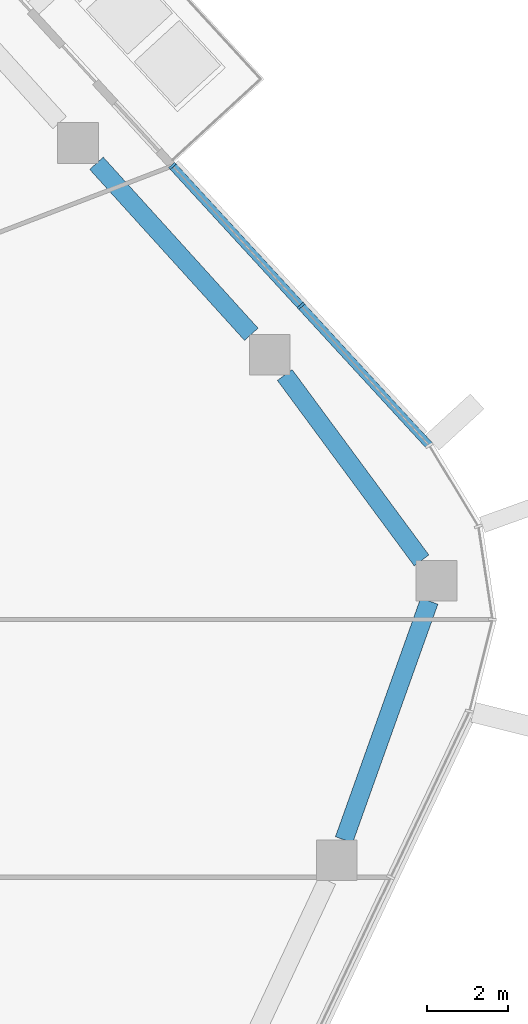
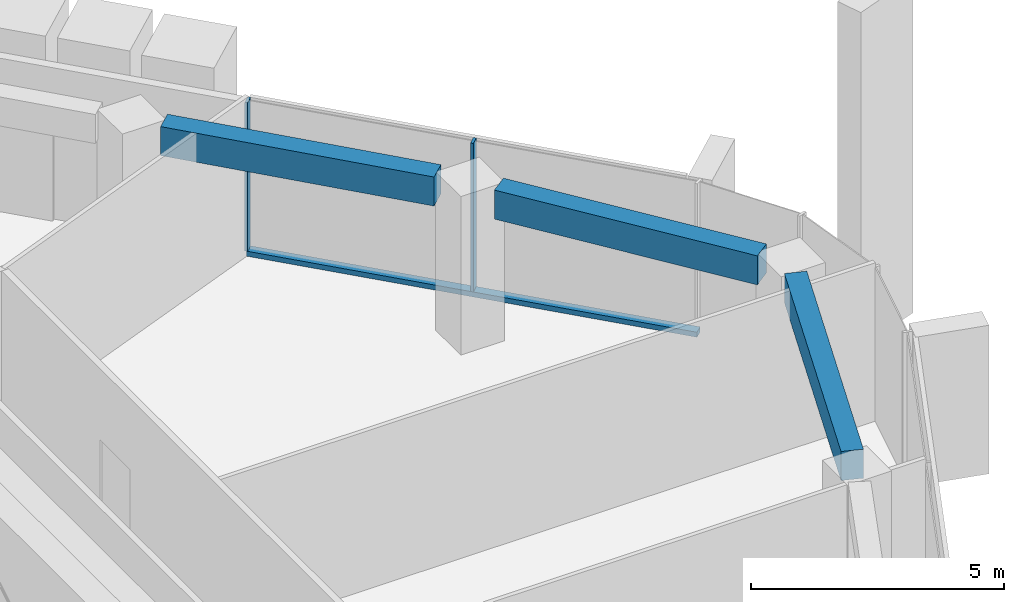
# One storey, part 8 of 24: 3 beams, 3 members, 1 element without a shape of its own.
"""IFC4 building model written with IfcOpenShell, lengths in metres."""

from ifc_helpers import new_model, si_unit, direction, frame, origin, origin_2d, place, context, subcontext, project, spatial, rectangle, extrude, material, layer, layer_set, material_profile, profile_set, type_object, element, aggregate, save


model = new_model("IFC4")

# Units and contexts
model_context = context("Model", 3, precision=1e-05, world=origin(), true_north=direction((0.0, 1.0)))
body_context = subcontext(model_context, "Body", "Model", "MODEL_VIEW")
ifc_project = project(units=[si_unit("LENGTHUNIT", "METRE"), si_unit("AREAUNIT", "SQUARE_METRE"), si_unit("VOLUMEUNIT", "CUBIC_METRE"), si_unit("PLANEANGLEUNIT", "RADIAN"), si_unit("MASSUNIT", "GRAM", prefix="KILO")], contexts=[model_context])

# Site, building, storey
site_placement = place(None, origin())
site = spatial("IfcSite", under=ifc_project, at=site_placement, CompositionType="ELEMENT")
building_placement = place(site_placement, origin())
building = spatial("IfcBuilding", under=site, at=building_placement, Name="Dongbaek Canopy Tower", CompositionType="ELEMENT")
storey_placement = place(building_placement, frame((0.0, 0.0, 344.60009765625)))
storey = spatial("IfcBuildingStorey", under=building, at=storey_placement, Name="L74", CompositionType="ELEMENT", Elevation=344.60009765625)

# Curtain wall, members
ifc_material_1 = material(Name="Aluminium 6063-T6 pale anodised", Category="aluminium")
ifc_layer = layer(ifc_material_1, 0.199951171875)
ifc_layer_set = layer_set([ifc_layer], Name="CW-1 unitised tower curtain wall")
curtain_wall_type = type_object("IfcCurtainWallType", Name="CW-1 unitised tower curtain wall", PredefinedType="NOTDEFINED", material=ifc_layer_set)
curtain_wall_placement = place(storey_placement, origin())
curtain_wall = element("IfcCurtainWall", 1, at=curtain_wall_placement, inside=storey, type_object=curtain_wall_type, Name="CW-1 curtain wall F0.1", PredefinedType="NOTDEFINED")
ifc_material_2 = material(Name="Aluminium 6063-T6 pale anodised", Category="aluminium")
ifc_material_profile_1 = material_profile(ifc_material_2, rectangle(XDim=0.199951171875, YDim=0.06005859375, at=origin_2d()), Name="CW-1 mullion 60 x 200")
ifc_profile_set_1 = profile_set([ifc_material_profile_1], Name="Aluminium 6063-T6 pale anodised")
member_type_1 = type_object("IfcMemberType", Name="CW-1 mullion 60 x 200", PredefinedType="MULLION", material=ifc_profile_set_1)
member_1_placement = place(storey_placement, frame((27.47216796875, 13.457763671875, 0.119873046875), z_axis=(0.0, 0.0, 1.0), x_axis=(0.736566571941, 0.676365053133, 0.0)))
member_1 = element("IfcMember", 2, at=member_1_placement, type_object=member_type_1, Name="CW-1 mullion F0.1.2", PredefinedType="MULLION", context=body_context, shape_type="SweptSolid", body=[
    extrude(rectangle(XDim=0.199951171875, YDim=0.06005859375, at=origin_2d()), origin(), (0.0, 0.0, 1.0), 3.580078125),
])
member_2_placement = place(storey_placement, frame((24.312744140625, 16.898193359375, 0.119873046875), z_axis=(0.0, 0.0, 1.0), x_axis=(0.736566571941, 0.676365053133, 0.0)))
member_2 = element("IfcMember", 3, at=member_2_placement, type_object=member_type_1, Name="CW-1 mullion F0.1.3", PredefinedType="MULLION", context=body_context, shape_type="SweptSolid", body=[
    extrude(rectangle(XDim=0.199951171875, YDim=0.06005859375, at=origin_2d()), origin(), (0.0, 0.0, 1.0), 3.580078125),
])
ifc_material_3 = material(Name="Aluminium 6063-T6 pale anodised", Category="aluminium")
ifc_material_profile_2 = material_profile(ifc_material_3, rectangle(XDim=0.199951171875, YDim=0.1201171875, at=origin_2d()), Name="CW-1 transom 120 x 200")
ifc_profile_set_2 = profile_set([ifc_material_profile_2], Name="Aluminium 6063-T6 pale anodised")
member_type_2 = type_object("IfcMemberType", Name="CW-1 transom 120 x 200", PredefinedType="USERDEFINED", material=ifc_profile_set_2)
member_3_placement = place(storey_placement, frame((30.62451171875, 10.024658203125, 0.059814453125), z_axis=(-0.676366476775, 0.736565264654, 0.0), x_axis=(-0.736565264654, -0.676366476775, 0.0)))
member_3 = element("IfcMember", 4, at=member_3_placement, type_object=member_type_2, Name="CW-1 transom F0.1.1", ObjectType="TRANSOM", PredefinedType="USERDEFINED", context=body_context, shape_type="SweptSolid", body=[
    extrude(rectangle(XDim=0.199951171875, YDim=0.1201171875, at=origin_2d()), origin(), (0.0, 0.0, 1.0), 9.331787109375),
])
aggregate(curtain_wall, [member_1, member_2, member_3])

# Beams
ifc_material_4 = material(Name="Concrete C60", Category="concrete")
ifc_material_profile_3 = material_profile(ifc_material_4, rectangle(XDim=0.449951171875, YDim=0.699951171875, at=origin_2d()), Name="RC EDGE BEAM 450x700 C60")
ifc_profile_set_3 = profile_set([ifc_material_profile_3], Name="Concrete C60")
beam_type = type_object("IfcBeamType", Name="RC EDGE BEAM 450x700 C60", PredefinedType="BEAM", material=ifc_profile_set_3)
beam_1_placement = place(storey_placement, frame((22.442626953125, 16.9619140625, 3.469970703125), z_axis=(0.671227680473, -0.741251240112, 0.0), x_axis=(0.741251240112, 0.671227680473, 0.0)))
element("IfcBeam", 5, at=beam_1_placement, inside=storey, type_object=beam_type, Name="EDGEBEAM:L74:19", PredefinedType="BEAM", context=body_context, shape_type="SweptSolid", body=[
    extrude(rectangle(XDim=0.449951171875, YDim=0.699951171875, at=origin_2d()), origin(), (0.0, 0.0, 1.0), 5.672607421875),
])
beam_2_placement = place(storey_placement, frame((27.072021484375, 11.757080078125, 3.469970703125), z_axis=(0.593735402363, -0.804660345724, 0.0), x_axis=(0.804660345724, 0.593735402363, 0.0)))
element("IfcBeam", 6, at=beam_2_placement, inside=storey, type_object=beam_type, Name="EDGEBEAM:L74:20", PredefinedType="BEAM", context=body_context, shape_type="SweptSolid", body=[
    extrude(rectangle(XDim=0.449951171875, YDim=0.699951171875, at=origin_2d()), origin(), (0.0, 0.0, 1.0), 5.665771484375),
])
beam_3_placement = place(storey_placement, frame((30.626220703125, 6.197998046875, 3.469970703125), z_axis=(-0.336443121865, -0.941703788752, 0.0), x_axis=(0.941703788752, -0.336443121865, 0.0)))
element("IfcBeam", 7, at=beam_3_placement, inside=storey, type_object=beam_type, Name="EDGEBEAM:L74:21", PredefinedType="BEAM", context=body_context, shape_type="SweptSolid", body=[
    extrude(rectangle(XDim=0.449951171875, YDim=0.699951171875, at=origin_2d()), origin(), (0.0, 0.0, 1.0), 6.231201171875),
])

save(model, "model.ifc")
